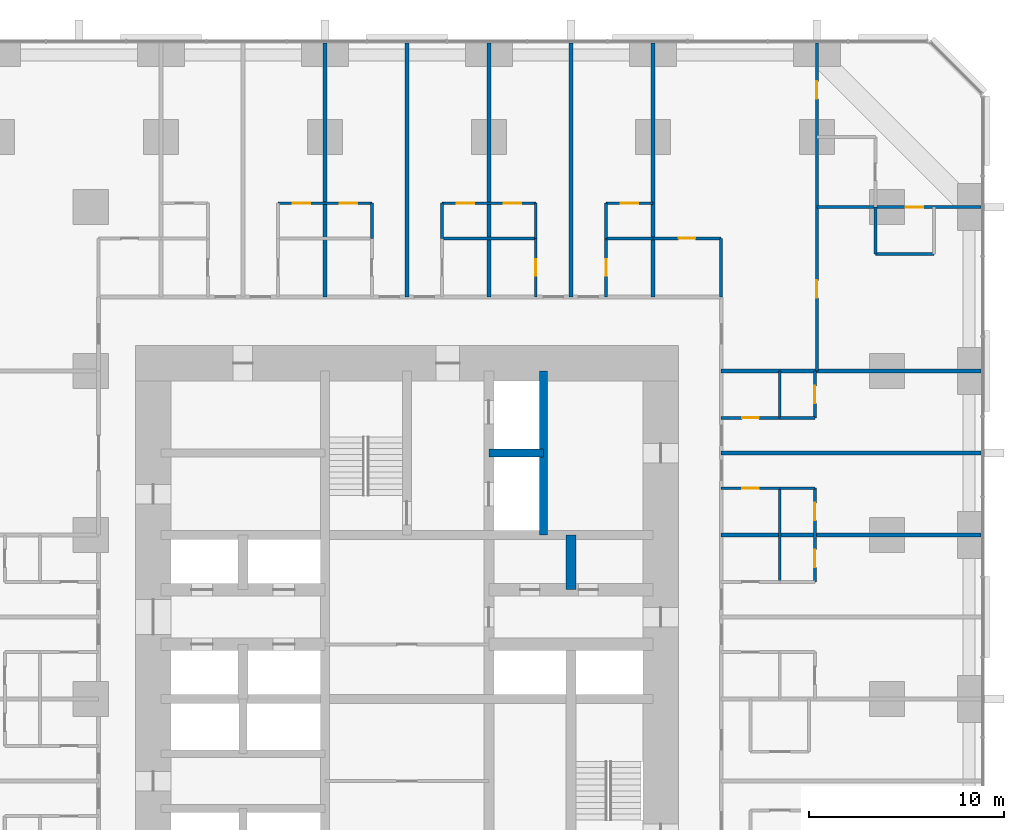
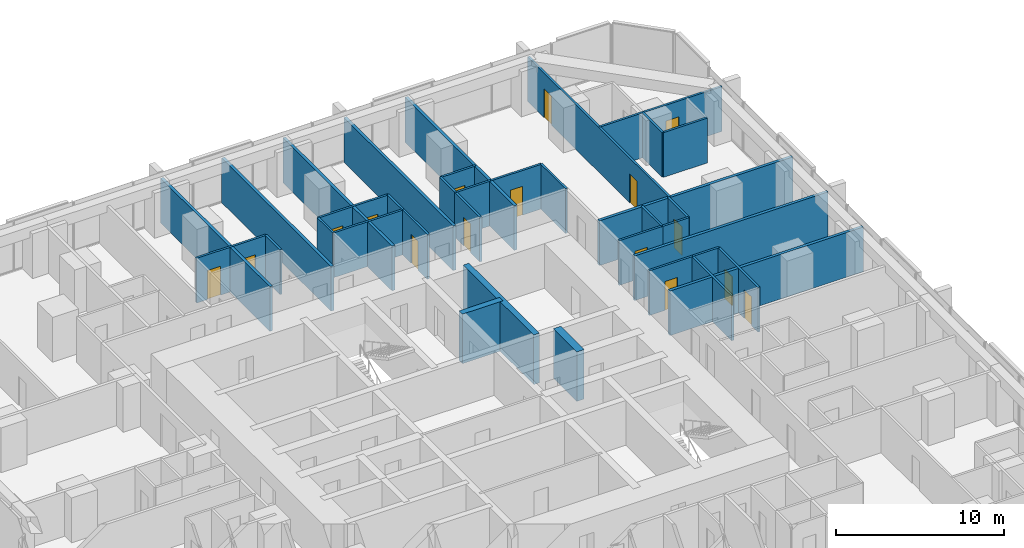
# One storey, part 16 of 18: 36 walls, 16 doors, 16 openings.
"""IFC4 building model written with IfcOpenShell, lengths in metres."""

from ifc_helpers import new_model, si_unit, direction, frame, frame_2d, origin, place, context, subcontext, project, spatial, rectangle, extrude, material, layer, layer_set, type_object, element, fill, save


model = new_model("IFC4")

# Units and contexts
model_context = context("Model", 3, precision=1e-05, world=origin(), true_north=direction((0.0, 1.0)))
body_context = subcontext(model_context, "Body", "Model", "MODEL_VIEW")
ifc_project = project(units=[si_unit("LENGTHUNIT", "METRE"), si_unit("AREAUNIT", "SQUARE_METRE"), si_unit("VOLUMEUNIT", "CUBIC_METRE"), si_unit("PLANEANGLEUNIT", "RADIAN"), si_unit("MASSUNIT", "GRAM", prefix="KILO")], contexts=[model_context])

# Site, building, storey
site_placement = place(None, origin())
site = spatial("IfcSite", under=ifc_project, at=site_placement, CompositionType="ELEMENT")
building_placement = place(site_placement, origin())
building = spatial("IfcBuilding", under=site, at=building_placement, Name="Dunama Terrace Hotel", CompositionType="ELEMENT")
storey_placement = place(building_placement, frame((0.0, 0.0, 30.60009765625)))
storey = spatial("IfcBuildingStorey", under=building, at=storey_placement, Name="L06", CompositionType="ELEMENT", Elevation=30.60009765625)

# Wall, opening, door
ifc_material_1 = material(Name="Gypsum board partition", Category="masonry")
ifc_layer_1 = layer(ifc_material_1, 0.14990234375)
ifc_layer_set_1 = layer_set([ifc_layer_1], Name="Bathroom partition 150")
wall_type_1 = type_object("IfcWallType", Name="Bathroom partition 150", PredefinedType="PARTITIONING", material=ifc_layer_set_1)
wall_1_placement = place(storey_placement, frame((36.0, 45.800048828125, 0.0), z_axis=(0.0, 0.0, 1.0), x_axis=(0.0, 1.0, 0.0)))
wall_1 = element("IfcWall", 1, at=wall_1_placement, inside=storey, type_object=wall_type_1, Name="Bathroom partition 150 L06", PredefinedType="PARTITIONING", context=body_context, shape_type="SweptSolid", body=[
    extrude(rectangle(XDim=3.0, YDim=0.14990234375, at=frame_2d((1.5, 0.0))), origin(), (0.0, 0.0, 1.0), 3.25),
])
opening_1_placement = place(wall_1_placement, frame((1.074951171875, 0.0, 0.0)))
opening_1 = element("IfcOpeningElement", 2, at=opening_1_placement, cuts=wall_1, Name="Opening L06-056", PredefinedType="OPENING", context=body_context, shape_type="SweptSolid", body=[
    extrude(rectangle(XDim=0.85009765625, YDim=2.10009765625, at=frame_2d((0.425048828125, 1.050048828125))), frame((0.0, 0.0849609375, 0.0), z_axis=(0.0, -1.0, 0.0), x_axis=(1.0, 0.0, 0.0)), (0.0, 0.0, 1.0), 0.169921875),
])
ifc_material_2 = material(Name="Timber door with steel frame", Category="steel")
door_type_1 = type_object("IfcDoorType", Name="Bathroom door 850", OperationType="SINGLE_SWING_LEFT", PredefinedType="DOOR", material=ifc_material_2)
door_1_placement = place(opening_1_placement, origin())
door_1 = element("IfcDoor", 3, at=door_1_placement, inside=storey, type_object=door_type_1, Name="Door to en-suite bathroom L06-056, type D2", OperationType="SINGLE_SWING_LEFT", OverallHeight=2.10009765625, OverallWidth=0.85009765625, PredefinedType="DOOR", context=body_context, shape_type="SweptSolid", body=[
    extrude(rectangle(XDim=0.85009765625, YDim=2.10009765625, at=frame_2d((0.425048828125, 1.050048828125))), frame((0.0, 0.02490234375, 0.0), z_axis=(0.0, -1.0, 0.0), x_axis=(1.0, 0.0, 0.0)), (0.0, 0.0, 1.0), 0.050048828125),
])
fill(opening_1, door_1)

wall_2_placement = place(storey_placement, frame((39.60009765625, 45.800048828125, 0.0), z_axis=(0.0, 0.0, 1.0), x_axis=(0.0, 1.0, 0.0)))
wall_2 = element("IfcWall", 4, at=wall_2_placement, inside=storey, type_object=wall_type_1, Name="Bathroom partition 150 L06", PredefinedType="PARTITIONING", context=body_context, shape_type="SweptSolid", body=[
    extrude(rectangle(XDim=3.0, YDim=0.14990234375, at=frame_2d((1.5, 0.0))), origin(), (0.0, 0.0, 1.0), 3.25),
])
opening_2_placement = place(wall_2_placement, frame((1.074951171875, 0.0, 0.0)))
opening_2 = element("IfcOpeningElement", 5, at=opening_2_placement, cuts=wall_2, Name="Opening L06-059", PredefinedType="OPENING", context=body_context, shape_type="SweptSolid", body=[
    extrude(rectangle(XDim=0.85009765625, YDim=2.10009765625, at=frame_2d((0.425048828125, 1.050048828125))), frame((0.0, 0.0849609375, 0.0), z_axis=(0.0, -1.0, 0.0), x_axis=(1.0, 0.0, 0.0)), (0.0, 0.0, 1.0), 0.169921875),
])
door_2_placement = place(opening_2_placement, frame((0.85009765625, 0.0, 0.0), z_axis=(0.0, 0.0, 1.0), x_axis=(-1.0, 0.0, 0.0)))
door_2 = element("IfcDoor", 6, at=door_2_placement, inside=storey, type_object=door_type_1, Name="Door to en-suite bathroom L06-059, type D2", OperationType="SINGLE_SWING_RIGHT", OverallHeight=2.10009765625, OverallWidth=0.85009765625, PredefinedType="DOOR", context=body_context, shape_type="SweptSolid", body=[
    extrude(rectangle(XDim=0.85009765625, YDim=2.10009765625, at=frame_2d((0.425048828125, 1.050048828125))), frame((0.0, 0.025146484375, 0.0), z_axis=(0.0, -1.0, 0.0), x_axis=(1.0, 0.0, 0.0)), (0.0, 0.0, 1.0), 0.050048828125),
])
fill(opening_2, door_2)

# Wall
wall_3_placement = place(storey_placement, frame((45.5, 45.800048828125, 0.0), z_axis=(0.0, 0.0, 1.0), x_axis=(0.0, 1.0, 0.0)))
element("IfcWall", 7, at=wall_3_placement, inside=storey, type_object=wall_type_1, Name="Bathroom partition 150 L06", PredefinedType="PARTITIONING", context=body_context, shape_type="SweptSolid", body=[
    extrude(rectangle(XDim=3.0, YDim=0.14990234375, at=frame_2d((1.5, 0.0))), origin(), (0.0, 0.0, 1.0), 3.25),
])

# Wall, opening, door
wall_4_placement = place(storey_placement, frame((45.5, 36.0, 0.0), z_axis=(0.0, 0.0, 1.0), x_axis=(1.0, 0.0, 0.0)))
wall_4 = element("IfcWall", 8, at=wall_4_placement, inside=storey, type_object=wall_type_1, Name="Bathroom partition 150 L06", PredefinedType="PARTITIONING", context=body_context, shape_type="SweptSolid", body=[
    extrude(rectangle(XDim=3.0, YDim=0.14990234375, at=frame_2d((1.5, 0.0))), origin(), (0.0, 0.0, 1.0), 3.25),
])
opening_3_placement = place(wall_4_placement, frame((1.074951171875, 0.0, 0.0)))
opening_3 = element("IfcOpeningElement", 9, at=opening_3_placement, cuts=wall_4, Name="Opening L06-038", PredefinedType="OPENING", context=body_context, shape_type="SweptSolid", body=[
    extrude(rectangle(XDim=0.85009765625, YDim=2.10009765625, at=frame_2d((0.425048828125, 1.050048828125))), frame((0.0, 0.0849609375, 0.0), z_axis=(0.0, -1.0, 0.0), x_axis=(1.0, 0.0, 0.0)), (0.0, 0.0, 1.0), 0.169921875),
])
door_3_placement = place(opening_3_placement, frame((0.85009765625, 0.0, 0.0), z_axis=(0.0, 0.0, 1.0), x_axis=(-1.0, 0.0, 0.0)))
door_3 = element("IfcDoor", 10, at=door_3_placement, inside=storey, type_object=door_type_1, Name="Door to en-suite bathroom L06-038, type D2", OperationType="SINGLE_SWING_RIGHT", OverallHeight=2.10009765625, OverallWidth=0.85009765625, PredefinedType="DOOR", context=body_context, shape_type="SweptSolid", body=[
    extrude(rectangle(XDim=0.85009765625, YDim=2.10009765625, at=frame_2d((0.425048828125, 1.050048828125))), frame((0.0, 0.025146484375, 0.0), z_axis=(0.0, -1.0, 0.0), x_axis=(1.0, 0.0, 0.0)), (0.0, 0.0, 1.0), 0.050048828125),
])
fill(opening_3, door_3)

wall_5_placement = place(storey_placement, frame((45.5, 39.60009765625, 0.0), z_axis=(0.0, 0.0, 1.0), x_axis=(1.0, 0.0, 0.0)))
wall_5 = element("IfcWall", 11, at=wall_5_placement, inside=storey, type_object=wall_type_1, Name="Bathroom partition 150 L06", PredefinedType="PARTITIONING", context=body_context, shape_type="SweptSolid", body=[
    extrude(rectangle(XDim=3.0, YDim=0.14990234375, at=frame_2d((1.5, 0.0))), origin(), (0.0, 0.0, 1.0), 3.25),
])
opening_4_placement = place(wall_5_placement, frame((1.074951171875, 0.0, 0.0)))
opening_4 = element("IfcOpeningElement", 12, at=opening_4_placement, cuts=wall_5, Name="Opening L06-041", PredefinedType="OPENING", context=body_context, shape_type="SweptSolid", body=[
    extrude(rectangle(XDim=0.85009765625, YDim=2.10009765625, at=frame_2d((0.425048828125, 1.050048828125))), frame((0.0, 0.0849609375, 0.0), z_axis=(0.0, -1.0, 0.0), x_axis=(1.0, 0.0, 0.0)), (0.0, 0.0, 1.0), 0.169921875),
])
door_4_placement = place(opening_4_placement, origin())
door_4 = element("IfcDoor", 13, at=door_4_placement, inside=storey, type_object=door_type_1, Name="Door to en-suite bathroom L06-041, type D2", OperationType="SINGLE_SWING_LEFT", OverallHeight=2.10009765625, OverallWidth=0.85009765625, PredefinedType="DOOR", context=body_context, shape_type="SweptSolid", body=[
    extrude(rectangle(XDim=0.85009765625, YDim=2.10009765625, at=frame_2d((0.425048828125, 1.050048828125))), frame((0.0, 0.02490234375, 0.0), z_axis=(0.0, -1.0, 0.0), x_axis=(1.0, 0.0, 0.0)), (0.0, 0.0, 1.0), 0.050048828125),
])
fill(opening_4, door_4)

wall_6_placement = place(storey_placement, frame((42.0, 48.800048828125, 0.0), z_axis=(0.0, 0.0, 1.0), x_axis=(1.0, 0.0, 0.0)))
wall_6 = element("IfcWall", 14, at=wall_6_placement, inside=storey, type_object=wall_type_1, Name="Bathroom partition 150 L06", PredefinedType="PARTITIONING", context=body_context, shape_type="SweptSolid", body=[
    extrude(rectangle(XDim=3.5, YDim=0.14990234375, at=frame_2d((1.75, 0.0))), origin(), (0.0, 0.0, 1.0), 3.25),
])
opening_5_placement = place(wall_6_placement, frame((1.324951171875, 0.0, 0.0)))
opening_5 = element("IfcOpeningElement", 15, at=opening_5_placement, cuts=wall_6, Name="Opening L06-087", PredefinedType="OPENING", context=body_context, shape_type="SweptSolid", body=[
    extrude(rectangle(XDim=0.85009765625, YDim=2.10009765625, at=frame_2d((0.425048828125, 1.050048828125))), frame((0.0, 0.0849609375, 0.0), z_axis=(0.0, -1.0, 0.0), x_axis=(1.0, 0.0, 0.0)), (0.0, 0.0, 1.0), 0.169921875),
])
door_5_placement = place(opening_5_placement, frame((0.85009765625, 0.0, 0.0), z_axis=(0.0, 0.0, 1.0), x_axis=(-1.0, 0.0, 0.0)))
door_5 = element("IfcDoor", 16, at=door_5_placement, inside=storey, type_object=door_type_1, Name="Door to powder room L06-087, type D2", OperationType="SINGLE_SWING_RIGHT", OverallHeight=2.10009765625, OverallWidth=0.85009765625, PredefinedType="DOOR", context=body_context, shape_type="SweptSolid", body=[
    extrude(rectangle(XDim=0.85009765625, YDim=2.10009765625, at=frame_2d((0.425048828125, 1.050048828125))), frame((0.0, 0.025146484375, 0.0), z_axis=(0.0, -1.0, 0.0), x_axis=(1.0, 0.0, 0.0)), (0.0, 0.0, 1.0), 0.050048828125),
])
fill(opening_5, door_5)

# Walls
ifc_material_3 = material(Name="Concrete C50/60", Category="concrete")
ifc_layer_2 = layer(ifc_material_3, 0.39990234375)
ifc_layer_set_2 = layer_set([ifc_layer_2], Name="Core inner wall 400")
wall_type_2 = type_object("IfcWallType", Name="Core inner wall 400", PredefinedType="SHEAR", material=ifc_layer_set_2)
wall_7_placement = place(storey_placement, frame((36.39990234375, 33.60009765625, -0.35009765625), z_axis=(0.0, 0.0, 1.0), x_axis=(0.0, 1.0, 0.0)))
element("IfcWall", 17, at=wall_7_placement, inside=storey, type_object=wall_type_2, Name="Core inner wall 400 L06", PredefinedType="SHEAR", context=body_context, shape_type="SweptSolid", body=[
    extrude(rectangle(XDim=8.39990234375, YDim=0.39990234375, at=frame_2d((4.199951171875, 0.0))), origin(), (0.0, 0.0, 1.0), 3.60009765625),
])
wall_8_placement = place(storey_placement, frame((33.60009765625, 37.800048828125, -0.35009765625), z_axis=(0.0, 0.0, 1.0), x_axis=(1.0, 0.0, 0.0)))
element("IfcWall", 18, at=wall_8_placement, inside=storey, type_object=wall_type_2, Name="Core inner wall 400 L06", PredefinedType="SHEAR", context=body_context, shape_type="SweptSolid", body=[
    extrude(rectangle(XDim=2.7998046875, YDim=0.39990234375, at=frame_2d((1.39990234375, 0.0))), origin(), (0.0, 0.0, 1.0), 3.60009765625),
])
ifc_material_4 = material(Name="Concrete C50/60", Category="concrete")
ifc_layer_3 = layer(ifc_material_4, 0.5)
ifc_layer_set_3 = layer_set([ifc_layer_3], Name="Core inner wall 500")
wall_type_3 = type_object("IfcWallType", Name="Core inner wall 500", PredefinedType="SHEAR", material=ifc_layer_set_3)
wall_9_placement = place(storey_placement, frame((37.800048828125, 30.800048828125, -0.35009765625), z_axis=(0.0, 0.0, 1.0), x_axis=(0.0, 1.0, 0.0)))
element("IfcWall", 19, at=wall_9_placement, inside=storey, type_object=wall_type_3, Name="Core inner wall 500 L06", PredefinedType="SHEAR", context=body_context, shape_type="SweptSolid", body=[
    extrude(rectangle(XDim=2.800048828125, YDim=0.5, at=frame_2d((1.39990234375, 0.0))), origin(), (0.0, 0.0, 1.0), 3.60009765625),
])
ifc_material_5 = material(Name="Concrete blockwork", Category="masonry")
ifc_layer_4 = layer(ifc_material_5, 0.199951171875)
ifc_layer_set_4 = layer_set([ifc_layer_4], Name="Party wall 200")
wall_type_4 = type_object("IfcWallType", Name="Party wall 200", PredefinedType="PARTITIONING", material=ifc_layer_set_4)
for number, where, z_axis, x_axis, name in (
    (20, (25.199951171875, 45.800048828125, 0.0), (0.0, 0.0, 1.0), (0.0, 1.0, 0.0), "Party wall 200 L06"),
    (21, (29.39990234375, 45.800048828125, 0.0), (0.0, 0.0, 1.0), (0.0, 1.0, 0.0), "Party wall 200 L06"),
    (22, (33.60009765625, 45.800048828125, 0.0), (0.0, 0.0, 1.0), (0.0, 1.0, 0.0), "Party wall 200 L06"),
    (23, (37.800048828125, 45.800048828125, 0.0), (0.0, 0.0, 1.0), (0.0, 1.0, 0.0), "Party wall 200 L06"),
    (24, (42.0, 45.800048828125, 0.0), (0.0, 0.0, 1.0), (0.0, 1.0, 0.0), "Party wall 200 L06"),
):
    element("IfcWall", number, at=place(storey_placement, frame(where, z_axis=z_axis, x_axis=x_axis)), inside=storey, type_object=wall_type_4, Name=name, PredefinedType="PARTITIONING", context=body_context, shape_type="SweptSolid", body=[
        extrude(rectangle(XDim=13.008056640625, YDim=0.199951171875, at=frame_2d((6.50390625, 0.0))), origin(), (0.0, 0.0, 1.0), 3.25),
    ])
for number, where, z_axis, x_axis, name in (
    (25, (45.5, 33.60009765625, 0.0), (0.0, 0.0, 1.0), (1.0, 0.0, 0.0), "Party wall 200 L06"),
    (26, (45.5, 37.800048828125, 0.0), (0.0, 0.0, 1.0), (1.0, 0.0, 0.0), "Party wall 200 L06"),
    (27, (45.5, 42.0, 0.0), (0.0, 0.0, 1.0), (1.0, 0.0, 0.0), "Party wall 200 L06"),
):
    element("IfcWall", number, at=place(storey_placement, frame(where, z_axis=z_axis, x_axis=x_axis)), inside=storey, type_object=wall_type_4, Name=name, PredefinedType="PARTITIONING", context=body_context, shape_type="SweptSolid", body=[
        extrude(rectangle(XDim=13.30810546875, YDim=0.199951171875, at=frame_2d((6.654052734375, 0.0))), origin(), (0.0, 0.0, 1.0), 3.25),
    ])
ifc_material_6 = material(Name="Gypsum board partition", Category="masonry")
ifc_layer_5 = layer(ifc_material_6, 0.14990234375)
ifc_layer_set_5 = layer_set([ifc_layer_5], Name="Room partition 150")
wall_type_5 = type_object("IfcWallType", Name="Room partition 150", PredefinedType="PARTITIONING", material=ifc_layer_set_5)
for number, where, z_axis, x_axis, name in (
    (28, (27.60009765625, 48.800048828125, 0.0), (0.0, 0.0, 1.0), (0.0, 1.0, 0.0), "Room partition 150 L06"),
    (29, (31.199951171875, 48.800048828125, 0.0), (0.0, 0.0, 1.0), (0.0, 1.0, 0.0), "Room partition 150 L06"),
    (30, (36.0, 48.800048828125, 0.0), (0.0, 0.0, 1.0), (0.0, 1.0, 0.0), "Room partition 150 L06"),
    (31, (39.60009765625, 48.800048828125, 0.0), (0.0, 0.0, 1.0), (0.0, 1.0, 0.0), "Room partition 150 L06"),
):
    element("IfcWall", number, at=place(storey_placement, frame(where, z_axis=z_axis, x_axis=x_axis)), inside=storey, type_object=wall_type_5, Name=name, PredefinedType="PARTITIONING", context=body_context, shape_type="SweptSolid", body=[
        extrude(rectangle(XDim=1.800048828125, YDim=0.14990234375, at=frame_2d((0.89990234375, 0.0))), origin(), (0.0, 0.0, 1.0), 3.25),
    ])
wall_10_placement = place(storey_placement, frame((48.5, 31.199951171875, 0.0), z_axis=(0.0, 0.0, 1.0), x_axis=(0.0, 1.0, 0.0)))
element("IfcWall", 32, at=wall_10_placement, inside=storey, type_object=wall_type_5, Name="Room partition 150 L06", PredefinedType="PARTITIONING", context=body_context, shape_type="SweptSolid", body=[
    extrude(rectangle(XDim=4.800048828125, YDim=0.14990234375, at=frame_2d((2.39990234375, 0.0))), origin(), (0.0, 0.0, 1.0), 3.25),
])
wall_11_placement = place(storey_placement, frame((48.5, 39.60009765625, 0.0), z_axis=(0.0, 0.0, 1.0), x_axis=(0.0, 1.0, 0.0)))
element("IfcWall", 33, at=wall_11_placement, inside=storey, type_object=wall_type_5, Name="Room partition 150 L06", PredefinedType="PARTITIONING", context=body_context, shape_type="SweptSolid", body=[
    extrude(rectangle(XDim=2.39990234375, YDim=0.14990234375, at=frame_2d((1.199951171875, 0.0))), origin(), (0.0, 0.0, 1.0), 3.25),
])

# Wall, openings, doors
wall_12_placement = place(storey_placement, frame((50.300048828125, 31.199951171875, 0.0), z_axis=(0.0, 0.0, 1.0), x_axis=(0.0, 1.0, 0.0)))
wall_12 = element("IfcWall", 34, at=wall_12_placement, inside=storey, type_object=wall_type_5, Name="Room partition 150 L06", PredefinedType="PARTITIONING", context=body_context, shape_type="SweptSolid", body=[
    extrude(rectangle(XDim=4.800048828125, YDim=0.14990234375, at=frame_2d((2.39990234375, 0.0))), origin(), (0.0, 0.0, 1.0), 3.25),
])
opening_6_placement = place(wall_12_placement, frame((0.75, 0.0, 0.0)))
opening_6 = element("IfcOpeningElement", 35, at=opening_6_placement, cuts=wall_12, Name="Opening L06-036", PredefinedType="OPENING", context=body_context, shape_type="SweptSolid", body=[
    extrude(rectangle(XDim=0.89990234375, YDim=2.10009765625, at=frame_2d((0.449951171875, 1.050048828125))), frame((0.0, 0.0849609375, 0.0), z_axis=(0.0, -1.0, 0.0), x_axis=(1.0, 0.0, 0.0)), (0.0, 0.0, 1.0), 0.169921875),
])
opening_7_placement = place(wall_12_placement, frame((3.14990234375, 0.0, 0.0)))
opening_7 = element("IfcOpeningElement", 36, at=opening_7_placement, cuts=wall_12, Name="Opening L06-039", PredefinedType="OPENING", context=body_context, shape_type="SweptSolid", body=[
    extrude(rectangle(XDim=0.89990234375, YDim=2.10009765625, at=frame_2d((0.449951171875, 1.050048828125))), frame((0.0, 0.0849609375, 0.0), z_axis=(0.0, -1.0, 0.0), x_axis=(1.0, 0.0, 0.0)), (0.0, 0.0, 1.0), 0.169921875),
])
ifc_material_7 = material(Name="Timber door with steel frame", Category="steel")
door_type_2 = type_object("IfcDoorType", Name="Suite internal door 900", OperationType="SINGLE_SWING_LEFT", PredefinedType="DOOR", material=ifc_material_7)
door_6_placement = place(opening_6_placement, origin())
door_6 = element("IfcDoor", 37, at=door_6_placement, inside=storey, type_object=door_type_2, Name="Door to walk-in wardrobe L06-036, type D16", OperationType="SINGLE_SWING_RIGHT", OverallHeight=2.10009765625, OverallWidth=0.89990234375, PredefinedType="DOOR", context=body_context, shape_type="SweptSolid", body=[
    extrude(rectangle(XDim=0.89990234375, YDim=2.10009765625, at=frame_2d((0.449951171875, 1.050048828125))), frame((0.0, 0.02490234375, 0.0), z_axis=(0.0, -1.0, 0.0), x_axis=(1.0, 0.0, 0.0)), (0.0, 0.0, 1.0), 0.050048828125),
])
fill(opening_6, door_6)
door_7_placement = place(opening_7_placement, origin())
door_7 = element("IfcDoor", 38, at=door_7_placement, inside=storey, type_object=door_type_2, Name="Door to walk-in wardrobe L06-039, type D16", OperationType="SINGLE_SWING_LEFT", OverallHeight=2.10009765625, OverallWidth=0.89990234375, PredefinedType="DOOR", context=body_context, shape_type="SweptSolid", body=[
    extrude(rectangle(XDim=0.89990234375, YDim=2.10009765625, at=frame_2d((0.449951171875, 1.050048828125))), frame((0.0, 0.02490234375, 0.0), z_axis=(0.0, -1.0, 0.0), x_axis=(1.0, 0.0, 0.0)), (0.0, 0.0, 1.0), 0.050048828125),
])
fill(opening_7, door_7)

# Wall, opening, door
wall_13_placement = place(storey_placement, frame((50.300048828125, 39.60009765625, 0.0), z_axis=(0.0, 0.0, 1.0), x_axis=(0.0, 1.0, 0.0)))
wall_13 = element("IfcWall", 39, at=wall_13_placement, inside=storey, type_object=wall_type_5, Name="Room partition 150 L06", PredefinedType="PARTITIONING", context=body_context, shape_type="SweptSolid", body=[
    extrude(rectangle(XDim=2.39990234375, YDim=0.14990234375, at=frame_2d((1.199951171875, 0.0))), origin(), (0.0, 0.0, 1.0), 3.25),
])
opening_8_placement = place(wall_13_placement, frame((0.75, 0.0, 0.0)))
opening_8 = element("IfcOpeningElement", 40, at=opening_8_placement, cuts=wall_13, Name="Opening L06-042", PredefinedType="OPENING", context=body_context, shape_type="SweptSolid", body=[
    extrude(rectangle(XDim=0.89990234375, YDim=2.10009765625, at=frame_2d((0.449951171875, 1.050048828125))), frame((0.0, 0.0849609375, 0.0), z_axis=(0.0, -1.0, 0.0), x_axis=(1.0, 0.0, 0.0)), (0.0, 0.0, 1.0), 0.169921875),
])
door_8_placement = place(opening_8_placement, origin())
door_8 = element("IfcDoor", 41, at=door_8_placement, inside=storey, type_object=door_type_2, Name="Door to walk-in wardrobe L06-042, type D16", OperationType="SINGLE_SWING_RIGHT", OverallHeight=2.10009765625, OverallWidth=0.89990234375, PredefinedType="DOOR", context=body_context, shape_type="SweptSolid", body=[
    extrude(rectangle(XDim=0.89990234375, YDim=2.10009765625, at=frame_2d((0.449951171875, 1.050048828125))), frame((0.0, 0.02490234375, 0.0), z_axis=(0.0, -1.0, 0.0), x_axis=(1.0, 0.0, 0.0)), (0.0, 0.0, 1.0), 0.050048828125),
])
fill(opening_8, door_8)

# Wall, openings, doors
wall_14_placement = place(storey_placement, frame((50.39990234375, 42.0, 0.0), z_axis=(0.0, 0.0, 1.0), x_axis=(0.0, 1.0, 0.0)))
wall_14 = element("IfcWall", 42, at=wall_14_placement, inside=storey, type_object=wall_type_5, Name="Room partition 150 L06", PredefinedType="PARTITIONING", context=body_context, shape_type="SweptSolid", body=[
    extrude(rectangle(XDim=16.80810546875, YDim=0.14990234375, at=frame_2d((8.404052734375, 0.0))), origin(), (0.0, 0.0, 1.0), 3.25),
])
opening_9_placement = place(wall_14_placement, frame((13.949951171875, 0.0, 0.0)))
opening_9 = element("IfcOpeningElement", 43, at=opening_9_placement, cuts=wall_14, Name="Opening L06-088", PredefinedType="OPENING", context=body_context, shape_type="SweptSolid", body=[
    extrude(rectangle(XDim=0.89990234375, YDim=2.10009765625, at=frame_2d((0.449951171875, 1.050048828125))), frame((0.0, 0.0849609375, 0.0), z_axis=(0.0, -1.0, 0.0), x_axis=(1.0, 0.0, 0.0)), (0.0, 0.0, 1.0), 0.169921875),
])
opening_10_placement = place(wall_14_placement, frame((3.75, 0.0, 0.0)))
opening_10 = element("IfcOpeningElement", 44, at=opening_10_placement, cuts=wall_14, Name="Opening L06-091", PredefinedType="OPENING", context=body_context, shape_type="SweptSolid", body=[
    extrude(rectangle(XDim=0.89990234375, YDim=2.10009765625, at=frame_2d((0.449951171875, 1.050048828125))), frame((0.0, 0.0849609375, 0.0), z_axis=(0.0, -1.0, 0.0), x_axis=(1.0, 0.0, 0.0)), (0.0, 0.0, 1.0), 0.169921875),
])
door_9_placement = place(opening_9_placement, frame((0.89990234375, 0.0, 0.0), z_axis=(0.0, 0.0, 1.0), x_axis=(-1.0, 0.0, 0.0)))
door_9 = element("IfcDoor", 45, at=door_9_placement, inside=storey, type_object=door_type_2, Name="Door to corner suite bedroom L06-088, type D16", OperationType="SINGLE_SWING_LEFT", OverallHeight=2.10009765625, OverallWidth=0.89990234375, PredefinedType="DOOR", context=body_context, shape_type="SweptSolid", body=[
    extrude(rectangle(XDim=0.89990234375, YDim=2.10009765625, at=frame_2d((0.449951171875, 1.050048828125))), frame((0.0, 0.025146484375, 0.0), z_axis=(0.0, -1.0, 0.0), x_axis=(1.0, 0.0, 0.0)), (0.0, 0.0, 1.0), 0.050048828125),
])
fill(opening_9, door_9)
door_10_placement = place(opening_10_placement, frame((0.89990234375, 0.0, 0.0), z_axis=(0.0, 0.0, 1.0), x_axis=(-1.0, 0.0, 0.0)))
door_10 = element("IfcDoor", 46, at=door_10_placement, inside=storey, type_object=door_type_2, Name="Door to corner suite study L06-091, type D16", OperationType="SINGLE_SWING_LEFT", OverallHeight=2.10009765625, OverallWidth=0.89990234375, PredefinedType="DOOR", context=body_context, shape_type="SweptSolid", body=[
    extrude(rectangle(XDim=0.89990234375, YDim=2.10009765625, at=frame_2d((0.449951171875, 1.050048828125))), frame((0.0, 0.025146484375, 0.0), z_axis=(0.0, -1.0, 0.0), x_axis=(1.0, 0.0, 0.0)), (0.0, 0.0, 1.0), 0.050048828125),
])
fill(opening_10, door_10)

# Walls
wall_15_placement = place(storey_placement, frame((53.39990234375, 48.0, 0.0), z_axis=(0.0, 0.0, 1.0), x_axis=(0.0, 1.0, 0.0)))
element("IfcWall", 47, at=wall_15_placement, inside=storey, type_object=wall_type_5, Name="Room partition 150 L06", PredefinedType="PARTITIONING", context=body_context, shape_type="SweptSolid", body=[
    extrude(rectangle(XDim=2.39990234375, YDim=0.14990234375, at=frame_2d((1.199951171875, 0.0))), origin(), (0.0, 0.0, 1.0), 3.25),
])
for number, where, z_axis, x_axis, name in (
    (48, (48.5, 36.0, 0.0), (0.0, 0.0, 1.0), (1.0, 0.0, 0.0), "Room partition 150 L06"),
    (49, (48.5, 39.60009765625, 0.0), (0.0, 0.0, 1.0), (1.0, 0.0, 0.0), "Room partition 150 L06"),
):
    element("IfcWall", number, at=place(storey_placement, frame(where, z_axis=z_axis, x_axis=x_axis)), inside=storey, type_object=wall_type_5, Name=name, PredefinedType="PARTITIONING", context=body_context, shape_type="SweptSolid", body=[
        extrude(rectangle(XDim=1.800048828125, YDim=0.14990234375, at=frame_2d((0.89990234375, 0.0))), origin(), (0.0, 0.0, 1.0), 3.25),
    ])
wall_16_placement = place(storey_placement, frame((53.39990234375, 48.0, 0.0), z_axis=(0.0, 0.0, 1.0), x_axis=(1.0, 0.0, 0.0)))
element("IfcWall", 50, at=wall_16_placement, inside=storey, type_object=wall_type_5, Name="Room partition 150 L06", PredefinedType="PARTITIONING", context=body_context, shape_type="SweptSolid", body=[
    extrude(rectangle(XDim=3.0, YDim=0.14990234375, at=frame_2d((1.5, 0.0))), origin(), (0.0, 0.0, 1.0), 3.25),
])
wall_17_placement = place(storey_placement, frame((31.199951171875, 48.800048828125, 0.0), z_axis=(0.0, 0.0, 1.0), x_axis=(1.0, 0.0, 0.0)))
element("IfcWall", 51, at=wall_17_placement, inside=storey, type_object=wall_type_5, Name="Room partition 150 L06", PredefinedType="PARTITIONING", context=body_context, shape_type="SweptSolid", body=[
    extrude(rectangle(XDim=4.800048828125, YDim=0.14990234375, at=frame_2d((2.39990234375, 0.0))), origin(), (0.0, 0.0, 1.0), 3.25),
])
wall_18_placement = place(storey_placement, frame((39.60009765625, 48.800048828125, 0.0), z_axis=(0.0, 0.0, 1.0), x_axis=(1.0, 0.0, 0.0)))
element("IfcWall", 52, at=wall_18_placement, inside=storey, type_object=wall_type_5, Name="Room partition 150 L06", PredefinedType="PARTITIONING", context=body_context, shape_type="SweptSolid", body=[
    extrude(rectangle(XDim=2.39990234375, YDim=0.14990234375, at=frame_2d((1.199951171875, 0.0))), origin(), (0.0, 0.0, 1.0), 3.25),
])

# Wall, opening, door
wall_19_placement = place(storey_placement, frame((50.39990234375, 50.39990234375, 0.0), z_axis=(0.0, 0.0, 1.0), x_axis=(1.0, 0.0, 0.0)))
wall_19 = element("IfcWall", 53, at=wall_19_placement, inside=storey, type_object=wall_type_5, Name="Room partition 150 L06", PredefinedType="PARTITIONING", context=body_context, shape_type="SweptSolid", body=[
    extrude(rectangle(XDim=8.408203125, YDim=0.14990234375, at=frame_2d((4.2041015625, 0.0))), origin(), (0.0, 0.0, 1.0), 3.25),
])
opening_11_placement = place(wall_19_placement, frame((4.550048828125, 0.0, 0.0)))
opening_11 = element("IfcOpeningElement", 54, at=opening_11_placement, cuts=wall_19, Name="Opening L06-090", PredefinedType="OPENING", context=body_context, shape_type="SweptSolid", body=[
    extrude(rectangle(XDim=0.89990234375, YDim=2.10009765625, at=frame_2d((0.449951171875, 1.050048828125))), frame((0.0, 0.0849609375, 0.0), z_axis=(0.0, -1.0, 0.0), x_axis=(1.0, 0.0, 0.0)), (0.0, 0.0, 1.0), 0.169921875),
])
door_11_placement = place(opening_11_placement, frame((0.89990234375, 0.0, 0.0), z_axis=(0.0, 0.0, 1.0), x_axis=(-1.0, 0.0, 0.0)))
door_11 = element("IfcDoor", 55, at=door_11_placement, inside=storey, type_object=door_type_2, Name="Door to dressing room L06-090, type D16", OperationType="SINGLE_SWING_RIGHT", OverallHeight=2.10009765625, OverallWidth=0.89990234375, PredefinedType="DOOR", context=body_context, shape_type="SweptSolid", body=[
    extrude(rectangle(XDim=0.89990234375, YDim=2.10009765625, at=frame_2d((0.449951171875, 1.050048828125))), frame((0.0, 0.025146484375, 0.0), z_axis=(0.0, -1.0, 0.0), x_axis=(1.0, 0.0, 0.0)), (0.0, 0.0, 1.0), 0.050048828125),
])
fill(opening_11, door_11)

# Wall, openings, doors
wall_20_placement = place(storey_placement, frame((22.800048828125, 50.60009765625, 0.0), z_axis=(0.0, 0.0, 1.0), x_axis=(1.0, 0.0, 0.0)))
wall_20 = element("IfcWall", 56, at=wall_20_placement, inside=storey, type_object=wall_type_5, Name="Room partition 150 L06", PredefinedType="PARTITIONING", context=body_context, shape_type="SweptSolid", body=[
    extrude(rectangle(XDim=4.800048828125, YDim=0.14990234375, at=frame_2d((2.39990234375, 0.0))), origin(), (0.0, 0.0, 1.0), 3.25),
])
opening_12_placement = place(wall_20_placement, frame((0.75, 0.0, 0.0)))
opening_12 = element("IfcOpeningElement", 57, at=opening_12_placement, cuts=wall_20, Name="Opening L06-048", PredefinedType="OPENING", context=body_context, shape_type="SweptSolid", body=[
    extrude(rectangle(XDim=0.89990234375, YDim=2.10009765625, at=frame_2d((0.449951171875, 1.050048828125))), frame((0.0, 0.0849609375, 0.0), z_axis=(0.0, -1.0, 0.0), x_axis=(1.0, 0.0, 0.0)), (0.0, 0.0, 1.0), 0.169921875),
])
opening_13_placement = place(wall_20_placement, frame((3.14990234375, 0.0, 0.0)))
opening_13 = element("IfcOpeningElement", 58, at=opening_13_placement, cuts=wall_20, Name="Opening L06-051", PredefinedType="OPENING", context=body_context, shape_type="SweptSolid", body=[
    extrude(rectangle(XDim=0.89990234375, YDim=2.10009765625, at=frame_2d((0.449951171875, 1.050048828125))), frame((0.0, 0.0849609375, 0.0), z_axis=(0.0, -1.0, 0.0), x_axis=(1.0, 0.0, 0.0)), (0.0, 0.0, 1.0), 0.169921875),
])
door_12_placement = place(opening_12_placement, frame((0.89990234375, 0.0, 0.0), z_axis=(0.0, 0.0, 1.0), x_axis=(-1.0, 0.0, 0.0)))
door_12 = element("IfcDoor", 59, at=door_12_placement, inside=storey, type_object=door_type_2, Name="Door to walk-in wardrobe L06-048, type D16", OperationType="SINGLE_SWING_LEFT", OverallHeight=2.10009765625, OverallWidth=0.89990234375, PredefinedType="DOOR", context=body_context, shape_type="SweptSolid", body=[
    extrude(rectangle(XDim=0.89990234375, YDim=2.10009765625, at=frame_2d((0.449951171875, 1.050048828125))), frame((0.0, 0.025146484375, 0.0), z_axis=(0.0, -1.0, 0.0), x_axis=(1.0, 0.0, 0.0)), (0.0, 0.0, 1.0), 0.050048828125),
])
fill(opening_12, door_12)
door_13_placement = place(opening_13_placement, frame((0.89990234375, 0.0, 0.0), z_axis=(0.0, 0.0, 1.0), x_axis=(-1.0, 0.0, 0.0)))
door_13 = element("IfcDoor", 60, at=door_13_placement, inside=storey, type_object=door_type_2, Name="Door to walk-in wardrobe L06-051, type D16", OperationType="SINGLE_SWING_RIGHT", OverallHeight=2.10009765625, OverallWidth=0.89990234375, PredefinedType="DOOR", context=body_context, shape_type="SweptSolid", body=[
    extrude(rectangle(XDim=0.89990234375, YDim=2.10009765625, at=frame_2d((0.449951171875, 1.050048828125))), frame((0.0, 0.025146484375, 0.0), z_axis=(0.0, -1.0, 0.0), x_axis=(1.0, 0.0, 0.0)), (0.0, 0.0, 1.0), 0.050048828125),
])
fill(opening_13, door_13)

wall_21_placement = place(storey_placement, frame((31.199951171875, 50.60009765625, 0.0), z_axis=(0.0, 0.0, 1.0), x_axis=(1.0, 0.0, 0.0)))
wall_21 = element("IfcWall", 61, at=wall_21_placement, inside=storey, type_object=wall_type_5, Name="Room partition 150 L06", PredefinedType="PARTITIONING", context=body_context, shape_type="SweptSolid", body=[
    extrude(rectangle(XDim=4.800048828125, YDim=0.14990234375, at=frame_2d((2.39990234375, 0.0))), origin(), (0.0, 0.0, 1.0), 3.25),
])
opening_14_placement = place(wall_21_placement, frame((0.75, 0.0, 0.0)))
opening_14 = element("IfcOpeningElement", 62, at=opening_14_placement, cuts=wall_21, Name="Opening L06-054", PredefinedType="OPENING", context=body_context, shape_type="SweptSolid", body=[
    extrude(rectangle(XDim=0.89990234375, YDim=2.10009765625, at=frame_2d((0.449951171875, 1.050048828125))), frame((0.0, 0.0849609375, 0.0), z_axis=(0.0, -1.0, 0.0), x_axis=(1.0, 0.0, 0.0)), (0.0, 0.0, 1.0), 0.169921875),
])
opening_15_placement = place(wall_21_placement, frame((3.14990234375, 0.0, 0.0)))
opening_15 = element("IfcOpeningElement", 63, at=opening_15_placement, cuts=wall_21, Name="Opening L06-057", PredefinedType="OPENING", context=body_context, shape_type="SweptSolid", body=[
    extrude(rectangle(XDim=0.89990234375, YDim=2.10009765625, at=frame_2d((0.449951171875, 1.050048828125))), frame((0.0, 0.0849609375, 0.0), z_axis=(0.0, -1.0, 0.0), x_axis=(1.0, 0.0, 0.0)), (0.0, 0.0, 1.0), 0.169921875),
])
door_14_placement = place(opening_14_placement, frame((0.89990234375, 0.0, 0.0), z_axis=(0.0, 0.0, 1.0), x_axis=(-1.0, 0.0, 0.0)))
door_14 = element("IfcDoor", 64, at=door_14_placement, inside=storey, type_object=door_type_2, Name="Door to walk-in wardrobe L06-054, type D16", OperationType="SINGLE_SWING_LEFT", OverallHeight=2.10009765625, OverallWidth=0.89990234375, PredefinedType="DOOR", context=body_context, shape_type="SweptSolid", body=[
    extrude(rectangle(XDim=0.89990234375, YDim=2.10009765625, at=frame_2d((0.449951171875, 1.050048828125))), frame((0.0, 0.025146484375, 0.0), z_axis=(0.0, -1.0, 0.0), x_axis=(1.0, 0.0, 0.0)), (0.0, 0.0, 1.0), 0.050048828125),
])
fill(opening_14, door_14)
door_15_placement = place(opening_15_placement, frame((0.89990234375, 0.0, 0.0), z_axis=(0.0, 0.0, 1.0), x_axis=(-1.0, 0.0, 0.0)))
door_15 = element("IfcDoor", 65, at=door_15_placement, inside=storey, type_object=door_type_2, Name="Door to walk-in wardrobe L06-057, type D16", OperationType="SINGLE_SWING_RIGHT", OverallHeight=2.10009765625, OverallWidth=0.89990234375, PredefinedType="DOOR", context=body_context, shape_type="SweptSolid", body=[
    extrude(rectangle(XDim=0.89990234375, YDim=2.10009765625, at=frame_2d((0.449951171875, 1.050048828125))), frame((0.0, 0.025146484375, 0.0), z_axis=(0.0, -1.0, 0.0), x_axis=(1.0, 0.0, 0.0)), (0.0, 0.0, 1.0), 0.050048828125),
])
fill(opening_15, door_15)

# Wall, opening, door
wall_22_placement = place(storey_placement, frame((39.60009765625, 50.60009765625, 0.0), z_axis=(0.0, 0.0, 1.0), x_axis=(1.0, 0.0, 0.0)))
wall_22 = element("IfcWall", 66, at=wall_22_placement, inside=storey, type_object=wall_type_5, Name="Room partition 150 L06", PredefinedType="PARTITIONING", context=body_context, shape_type="SweptSolid", body=[
    extrude(rectangle(XDim=2.39990234375, YDim=0.14990234375, at=frame_2d((1.199951171875, 0.0))), origin(), (0.0, 0.0, 1.0), 3.25),
])
opening_16_placement = place(wall_22_placement, frame((0.75, 0.0, 0.0)))
opening_16 = element("IfcOpeningElement", 67, at=opening_16_placement, cuts=wall_22, Name="Opening L06-060", PredefinedType="OPENING", context=body_context, shape_type="SweptSolid", body=[
    extrude(rectangle(XDim=0.89990234375, YDim=2.10009765625, at=frame_2d((0.449951171875, 1.050048828125))), frame((0.0, 0.0849609375, 0.0), z_axis=(0.0, -1.0, 0.0), x_axis=(1.0, 0.0, 0.0)), (0.0, 0.0, 1.0), 0.169921875),
])
door_16_placement = place(opening_16_placement, frame((0.89990234375, 0.0, 0.0), z_axis=(0.0, 0.0, 1.0), x_axis=(-1.0, 0.0, 0.0)))
door_16 = element("IfcDoor", 68, at=door_16_placement, inside=storey, type_object=door_type_2, Name="Door to walk-in wardrobe L06-060, type D16", OperationType="SINGLE_SWING_LEFT", OverallHeight=2.10009765625, OverallWidth=0.89990234375, PredefinedType="DOOR", context=body_context, shape_type="SweptSolid", body=[
    extrude(rectangle(XDim=0.89990234375, YDim=2.10009765625, at=frame_2d((0.449951171875, 1.050048828125))), frame((0.0, 0.025146484375, 0.0), z_axis=(0.0, -1.0, 0.0), x_axis=(1.0, 0.0, 0.0)), (0.0, 0.0, 1.0), 0.050048828125),
])
fill(opening_16, door_16)

save(model, "model.ifc")
